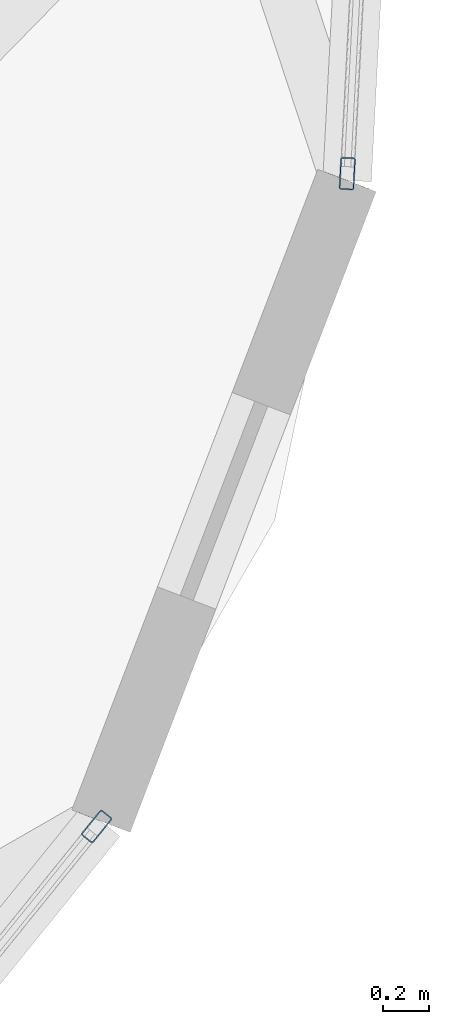
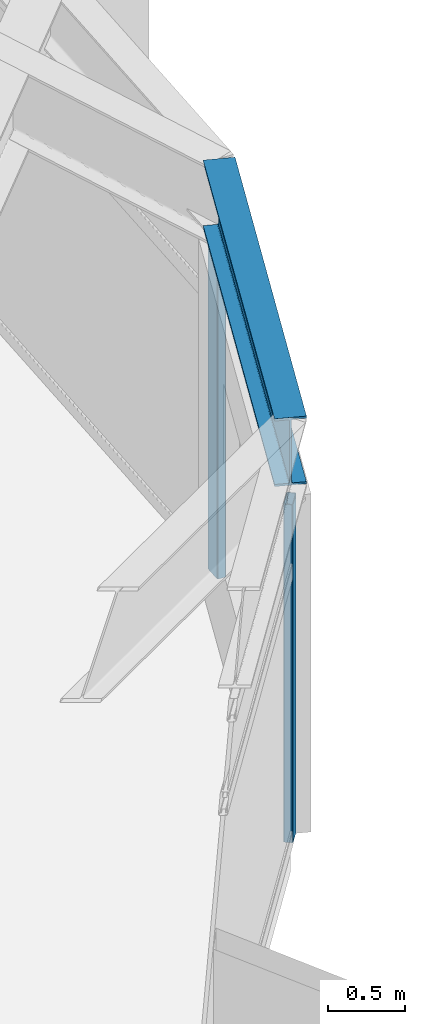
# One storey, part 12 of 29: 2 members, 1 beam, 2 elements without a shape of their own.
"""IFC4 building model written with IfcOpenShell, lengths in metres."""

from ifc_helpers import new_model, si_unit, direction, frame, origin, origin_2d, place, context, subcontext, project, spatial, hollow_rectangle, i_section, extrude, material, layer, layer_set, material_profile, profile_set, type_object, element, aggregate, save


model = new_model("IFC4")

# Units and contexts
model_context = context("Model", 3, precision=1e-05, world=origin(), true_north=direction((0.0, 1.0)))
body_context = subcontext(model_context, "Body", "Model", "MODEL_VIEW")
ifc_project = project(units=[si_unit("LENGTHUNIT", "METRE"), si_unit("AREAUNIT", "SQUARE_METRE"), si_unit("VOLUMEUNIT", "CUBIC_METRE"), si_unit("PLANEANGLEUNIT", "RADIAN"), si_unit("MASSUNIT", "GRAM", prefix="KILO")], contexts=[model_context])

# Site, building, storey
site_placement = place(None, origin())
site = spatial("IfcSite", under=ifc_project, at=site_placement, CompositionType="ELEMENT")
building_placement = place(site_placement, origin())
building = spatial("IfcBuilding", under=site, at=building_placement, Name="Soratama Intermodal Tower", CompositionType="ELEMENT")
storey_placement = place(building_placement, frame((0.0, 0.0, 219.39990234375)))
storey = spatial("IfcBuildingStorey", under=building, at=storey_placement, Name="L55", CompositionType="ELEMENT", Elevation=219.39990234375)

# Beam
ifc_material_1 = material(Name="Structural steel ASTM A992 Grade 50", Category="steel")
ifc_material_profile_1 = material_profile(ifc_material_1, i_section(OverallWidth=0.2099609375, OverallDepth=0.537109375, WebThickness=0.010986328125, FlangeThickness=0.017333984375, FilletRadius=0.012939453125, at=origin_2d()), Name="W21X68")
ifc_profile_set_1 = profile_set([ifc_material_profile_1], Name="Structural steel ASTM A992 Grade 50")
beam_type = type_object("IfcBeamType", Name="BM-SPN-W21X68", PredefinedType="SPANDREL", material=ifc_profile_set_1)
beam_placement = place(storey_placement, frame((63.530029296875, 16.298095703125, 3.031494140625), z_axis=(0.358560027852, 0.93350667187, 0.0), x_axis=(-0.93350667187, 0.358560027852, 0.0)))
element("IfcBeam", 1, at=beam_placement, inside=storey, type_object=beam_type, Name="BS-L55-CRN08", PredefinedType="SPANDREL", context=body_context, shape_type="SweptSolid", body=[
    extrude(i_section(OverallWidth=0.2099609375, OverallDepth=0.537109375, WebThickness=0.010986328125, FlangeThickness=0.017333984375, FilletRadius=0.012939453125, at=origin_2d()), origin(), (0.0, 0.0, 1.0), 2.96728515625),
])

# Curtain wall, member
ifc_material_2 = material(Name="Double-glazed aluminium curtain wall", Category="aluminium")
ifc_layer = layer(ifc_material_2, 0.159912109375)
ifc_layer_set = layer_set([ifc_layer], Name="Double-glazed aluminium curtain wall")
curtain_wall_type = type_object("IfcCurtainWallType", Name="CW-SYS-5", PredefinedType="NOTDEFINED", material=ifc_layer_set)
curtain_wall_1_placement = place(storey_placement, origin())
curtain_wall_1 = element("IfcCurtainWall", 2, at=curtain_wall_1_placement, inside=storey, type_object=curtain_wall_type, Name="L55 Faceted Curtain Wall F08", PredefinedType="NOTDEFINED")
ifc_material_3 = material(Name="Anodised aluminium AA 6063-T6", Category="aluminium")
ifc_material_profile_2 = material_profile(ifc_material_3, hollow_rectangle(XDim=0.06494140625, YDim=0.139892578125, WallThickness=0.0048828125, InnerFilletRadius=0.0048828125, OuterFilletRadius=0.010009765625, at=origin_2d()), Name="CWM140X65X5")
ifc_profile_set_2 = profile_set([ifc_material_profile_2], Name="Anodised aluminium AA 6063-T6")
member_type = type_object("IfcMemberType", Name="MT-CWM-5", PredefinedType="MULLION", material=ifc_profile_set_2)
member_1_placement = place(storey_placement, frame((63.511474609375, 16.27490234375, 0.0), z_axis=(0.0, 0.0, 1.0), x_axis=(-0.777152878151, 0.629311849549, 0.0)))
member_1 = element("IfcMember", 3, at=member_1_placement, type_object=member_type, Name="CW-5 mullion 3", PredefinedType="MULLION", context=body_context, shape_type="SweptSolid", body=[
    extrude(hollow_rectangle(XDim=0.06494140625, YDim=0.139892578125, WallThickness=0.0048828125, InnerFilletRadius=0.0048828125, OuterFilletRadius=0.010009765625, at=origin_2d()), origin(), (0.0, 0.0, 1.0), 2.67919921875),
])
aggregate(curtain_wall_1, [member_1])

curtain_wall_2_placement = place(storey_placement, origin())
curtain_wall_2 = element("IfcCurtainWall", 4, at=curtain_wall_2_placement, inside=storey, type_object=curtain_wall_type, Name="L55 Faceted Curtain Wall F09", PredefinedType="NOTDEFINED")
member_2_placement = place(storey_placement, frame((64.594970703125, 19.09765625, 0.0), z_axis=(0.0, 0.0, 1.0), x_axis=(-0.998629898503, 0.052329015046, 0.0)))
member_2 = element("IfcMember", 5, at=member_2_placement, type_object=member_type, Name="CW-5 mullion 1", PredefinedType="MULLION", context=body_context, shape_type="SweptSolid", body=[
    extrude(hollow_rectangle(XDim=0.06494140625, YDim=0.139892578125, WallThickness=0.0048828125, InnerFilletRadius=0.0048828125, OuterFilletRadius=0.010009765625, at=origin_2d()), origin(), (0.0, 0.0, 1.0), 2.67919921875),
])
aggregate(curtain_wall_2, [member_2])

save(model, "model.ifc")
